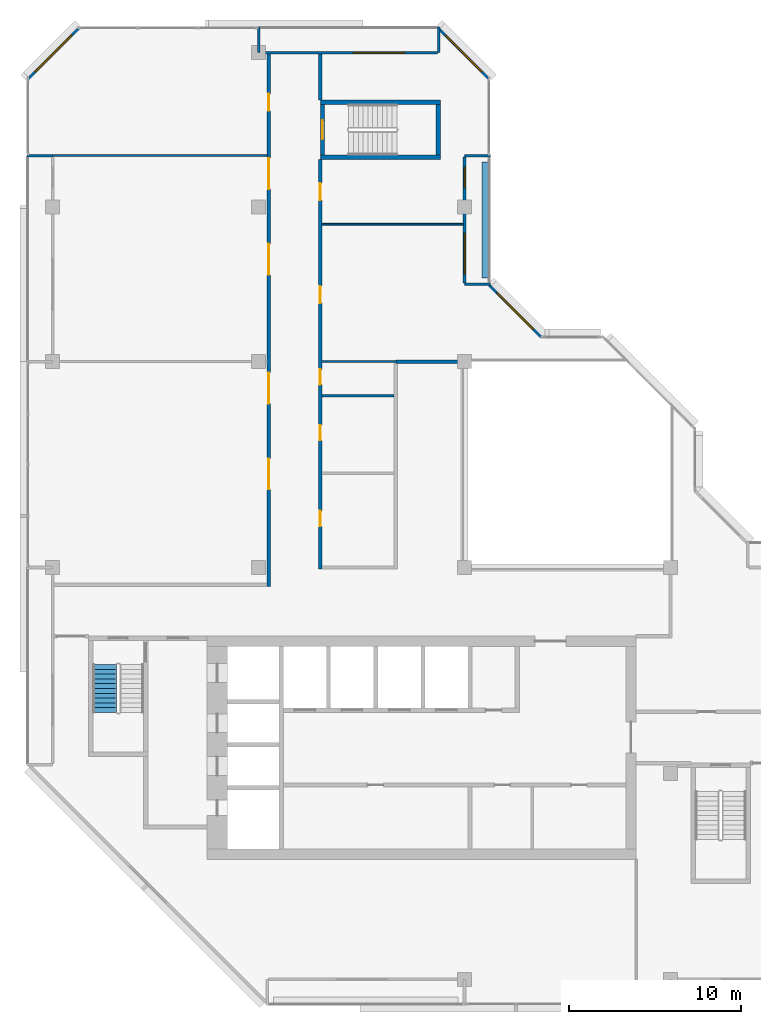
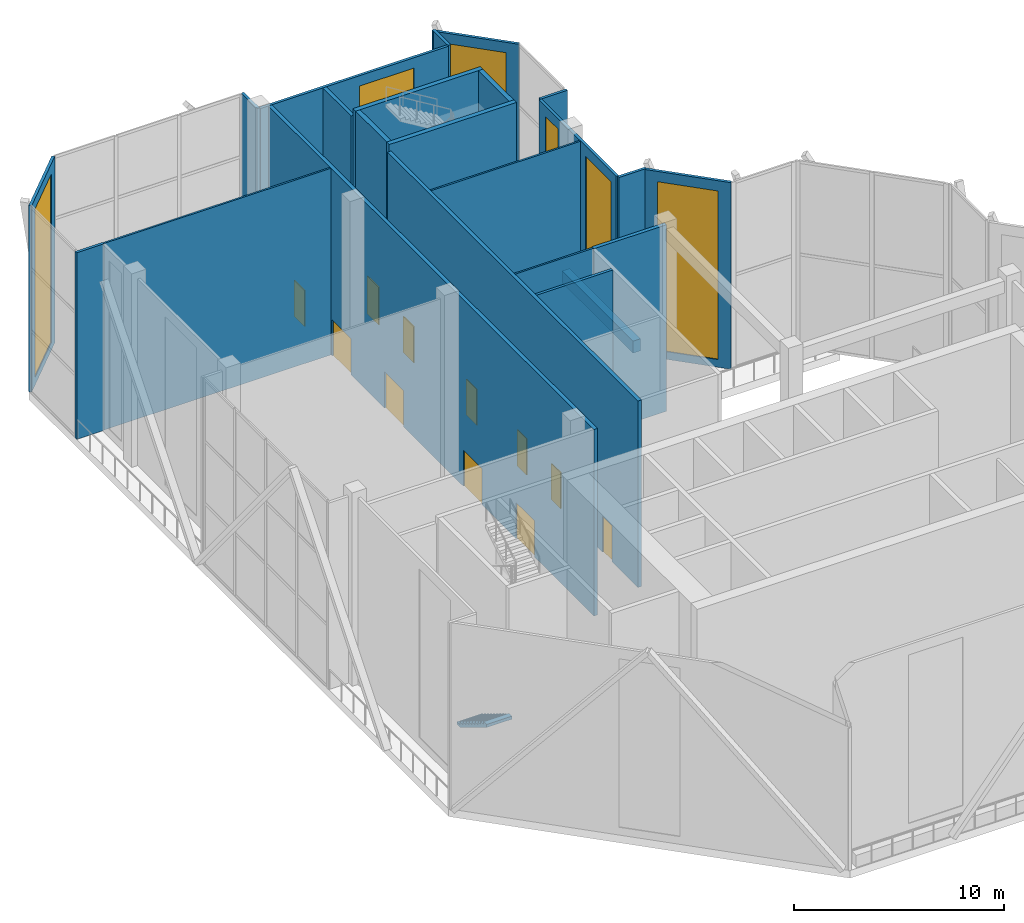
# One storey, part 11 of 16: 23 walls, 11 doors, 6 windows, 1 stair flight, 17 openings, 1 element without a shape of its own.
"""IFC4 building model written with IfcOpenShell, lengths in metres."""

from ifc_helpers import new_model, si_unit, direction, frame, frame_2d, origin, place, context, subcontext, project, spatial, polyline, rectangle, outline, extrude, material, layer, layer_set, type_object, element, fill, aggregate, save


model = new_model("IFC4")

# Units and contexts
model_context = context("Model", 3, precision=1e-05, world=origin(), true_north=direction((0.0, 1.0)))
body_context = subcontext(model_context, "Body", "Model", "MODEL_VIEW")
ifc_project = project(units=[si_unit("LENGTHUNIT", "METRE"), si_unit("AREAUNIT", "SQUARE_METRE"), si_unit("VOLUMEUNIT", "CUBIC_METRE"), si_unit("PLANEANGLEUNIT", "RADIAN"), si_unit("MASSUNIT", "GRAM", prefix="KILO")], contexts=[model_context])

# Site, building, storey
site_placement = place(None, origin())
site = spatial("IfcSite", under=ifc_project, at=site_placement, CompositionType="ELEMENT")
building_placement = place(site_placement, origin())
building = spatial("IfcBuilding", under=site, at=building_placement, Name="Chenar Terraces", CompositionType="ELEMENT")
storey_placement = place(building_placement, frame((0.0, 0.0, 327.64990234375)))
storey = spatial("IfcBuildingStorey", under=building, at=storey_placement, Name="L77", CompositionType="ELEMENT", Elevation=327.64990234375)

# Walls
ifc_material_1 = material(Name="Concrete C50/60", Category="concrete")
ifc_layer_1 = layer(ifc_material_1, 0.25)
ifc_layer_set_1 = layer_set([ifc_layer_1], Name="Concrete C50/60")
wall_type_1 = type_object("IfcWallType", Name="Core wall 250 Concrete C50/60", PredefinedType="SHEAR", material=ifc_layer_set_1)
for number, where, z_axis, x_axis, name in (
    (1, (15.60009765625, 47.89990234375, 0.0), (0.0, 0.0, 1.0), (1.0, 0.0, 0.0), "Core wall ST4_S L77"),
    (2, (15.60009765625, 51.10009765625, 0.0), (0.0, 0.0, 1.0), (1.0, 0.0, 0.0), "Core wall ST4_N L77"),
):
    element("IfcWall", number, at=place(storey_placement, frame(where, z_axis=z_axis, x_axis=x_axis)), inside=storey, type_object=wall_type_1, Name=name, PredefinedType="SHEAR", context=body_context, shape_type="SweptSolid", body=[
        extrude(rectangle(XDim=7.0, YDim=0.25, at=frame_2d((3.5, 0.0))), origin(), (0.0, 0.0, 1.0), 11.25),
    ])

# Wall, opening, door
wall_1_placement = place(storey_placement, frame((15.72509765625, 48.02490234375, 0.0), z_axis=(0.0, 0.0, 1.0), x_axis=(0.0, 1.0, 0.0)))
wall_1 = element("IfcWall", 3, at=wall_1_placement, inside=storey, type_object=wall_type_1, Name="Core wall ST4_W L77", PredefinedType="SHEAR", context=body_context, shape_type="SweptSolid", body=[
    extrude(rectangle(XDim=2.9501953125, YDim=0.25, at=frame_2d((1.47509765625, 0.0))), origin(), (0.0, 0.0, 1.0), 11.25),
])
opening_1_placement = place(wall_1_placement, frame((0.925048828125, 0.0, 0.0)))
opening_1 = element("IfcOpeningElement", 4, at=opening_1_placement, cuts=wall_1, Name="Opening DL77-C9", PredefinedType="OPENING", context=body_context, shape_type="SweptSolid", body=[
    extrude(rectangle(XDim=1.10009765625, YDim=2.199951171875, at=frame_2d((0.550048828125, 1.10009765625))), frame((0.0, 0.135009765625, 0.0), z_axis=(0.0, -1.0, 0.0), x_axis=(1.0, 0.0, 0.0)), (0.0, 0.0, 1.0), 0.27001953125),
])
ifc_material_2 = material(Name="Steel-framed fire-resisting door leaf", Category="steel")
door_type_1 = type_object("IfcDoorType", Name="Stair fire door FD60 1100 x 2200", OperationType="SINGLE_SWING_LEFT", PredefinedType="DOOR", material=ifc_material_2)
door_1_placement = place(opening_1_placement, frame((1.10009765625, 0.0, 0.0), z_axis=(0.0, 0.0, 1.0), x_axis=(-1.0, 0.0, 0.0)))
door_1 = element("IfcDoor", 5, at=door_1_placement, inside=storey, type_object=door_type_1, Name="Stair door DL77-C9", OperationType="SINGLE_SWING_RIGHT", OverallHeight=2.199951171875, OverallWidth=1.10009765625, PredefinedType="DOOR", context=body_context, shape_type="SweptSolid", body=[
    extrude(rectangle(XDim=1.10009765625, YDim=2.199951171875, at=frame_2d((0.550048828125, 1.10009765625))), frame((0.0, 0.02490234375, 0.0), z_axis=(0.0, -1.0, 0.0), x_axis=(1.0, 0.0, 0.0)), (0.0, 0.0, 1.0), 0.050048828125),
])
fill(opening_1, door_1)

# Wall
wall_2_placement = place(storey_placement, frame((22.47509765625, 48.02490234375, 0.0), z_axis=(0.0, 0.0, 1.0), x_axis=(0.0, 1.0, 0.0)))
element("IfcWall", 6, at=wall_2_placement, inside=storey, type_object=wall_type_1, Name="Core wall ST4_E L77", PredefinedType="SHEAR", context=body_context, shape_type="SweptSolid", body=[
    extrude(rectangle(XDim=2.9501953125, YDim=0.25, at=frame_2d((1.47509765625, 0.0))), origin(), (0.0, 0.0, 1.0), 11.25),
])

# Wall, openings, doors
ifc_material_3 = material(Name="Gypsum board on steel studs with fire boards", Category="steel")
ifc_layer_2 = layer(ifc_material_3, 0.199951171875)
ifc_layer_set_2 = layer_set([ifc_layer_2], Name="Gypsum board on steel studs with fire boards")
wall_type_2 = type_object("IfcWallType", Name="Corridor wall 200", PredefinedType="PARTITIONING", material=ifc_layer_set_2)
wall_3_placement = place(storey_placement, frame((12.60009765625, 22.89990234375, 0.0), z_axis=(0.0, 0.0, 1.0), x_axis=(0.0, 1.0, 0.0)))
wall_3 = element("IfcWall", 7, at=wall_3_placement, inside=storey, type_object=wall_type_2, Name="Partition L77-005", PredefinedType="PARTITIONING", context=body_context, shape_type="SweptSolid", body=[
    extrude(rectangle(XDim=31.026123046875, YDim=0.199951171875, at=frame_2d((15.51318359375, 0.0))), origin(), (0.0, 0.0, 1.0), 10.85009765625),
])
opening_2_placement = place(wall_3_placement, frame((5.64990234375, 0.0, 0.0)))
opening_2 = element("IfcOpeningElement", 8, at=opening_2_placement, cuts=wall_3, Name="Opening DL77-9", PredefinedType="OPENING", context=body_context, shape_type="SweptSolid", body=[
    extrude(rectangle(XDim=1.800048828125, YDim=2.10009765625, at=frame_2d((0.89990234375, 1.050048828125))), frame((0.0, 0.10986328125, 0.0), z_axis=(0.0, -1.0, 0.0), x_axis=(1.0, 0.0, 0.0)), (0.0, 0.0, 1.0), 0.219970703125),
])
opening_3_placement = place(wall_3_placement, frame((10.64990234375, 0.0, 0.0)))
opening_3 = element("IfcOpeningElement", 9, at=opening_3_placement, cuts=wall_3, Name="Opening DL77-10", PredefinedType="OPENING", context=body_context, shape_type="SweptSolid", body=[
    extrude(rectangle(XDim=1.800048828125, YDim=2.10009765625, at=frame_2d((0.89990234375, 1.050048828125))), frame((0.0, 0.10986328125, 0.0), z_axis=(0.0, -1.0, 0.0), x_axis=(1.0, 0.0, 0.0)), (0.0, 0.0, 1.0), 0.219970703125),
])
opening_4_placement = place(wall_3_placement, frame((18.14990234375, 0.0, 0.0)))
opening_4 = element("IfcOpeningElement", 10, at=opening_4_placement, cuts=wall_3, Name="Opening DL77-11", PredefinedType="OPENING", context=body_context, shape_type="SweptSolid", body=[
    extrude(rectangle(XDim=1.800048828125, YDim=2.10009765625, at=frame_2d((0.89990234375, 1.050048828125))), frame((0.0, 0.10986328125, 0.0), z_axis=(0.0, -1.0, 0.0), x_axis=(1.0, 0.0, 0.0)), (0.0, 0.0, 1.0), 0.219970703125),
])
opening_5_placement = place(wall_3_placement, frame((23.14990234375, 0.0, 0.0)))
opening_5 = element("IfcOpeningElement", 11, at=opening_5_placement, cuts=wall_3, Name="Opening DL77-12", PredefinedType="OPENING", context=body_context, shape_type="SweptSolid", body=[
    extrude(rectangle(XDim=1.800048828125, YDim=2.10009765625, at=frame_2d((0.89990234375, 1.050048828125))), frame((0.0, 0.10986328125, 0.0), z_axis=(0.0, -1.0, 0.0), x_axis=(1.0, 0.0, 0.0)), (0.0, 0.0, 1.0), 0.219970703125),
])
opening_6_placement = place(wall_3_placement, frame((27.699951171875, 0.0, 0.0)))
opening_6 = element("IfcOpeningElement", 12, at=opening_6_placement, cuts=wall_3, Name="Opening DL77-13", PredefinedType="OPENING", context=body_context, shape_type="SweptSolid", body=[
    extrude(rectangle(XDim=1.0, YDim=2.10009765625, at=frame_2d((0.5, 1.050048828125))), frame((0.0, 0.10986328125, 0.0), z_axis=(0.0, -1.0, 0.0), x_axis=(1.0, 0.0, 0.0)), (0.0, 0.0, 1.0), 0.219970703125),
])
ifc_material_4 = material(Name="Steel-framed fire-resisting door leaf", Category="steel")
door_type_2 = type_object("IfcDoorType", Name="Fire door FD60 1000 x 2100", OperationType="SINGLE_SWING_LEFT", PredefinedType="DOOR", material=ifc_material_4)
door_2_placement = place(opening_6_placement, origin())
door_2 = element("IfcDoor", 13, at=door_2_placement, inside=storey, type_object=door_type_2, Name="Door DL77-13", OperationType="SINGLE_SWING_LEFT", OverallHeight=2.10009765625, OverallWidth=1.0, PredefinedType="DOOR", context=body_context, shape_type="SweptSolid", body=[
    extrude(rectangle(XDim=1.0, YDim=2.10009765625, at=frame_2d((0.5, 1.050048828125))), frame((0.0, 0.02490234375, 0.0), z_axis=(0.0, -1.0, 0.0), x_axis=(1.0, 0.0, 0.0)), (0.0, 0.0, 1.0), 0.050048828125),
])
fill(opening_6, door_2)
ifc_material_5 = material(Name="Steel-framed fire-resisting door leaf", Category="steel")
door_type_3 = type_object("IfcDoorType", Name="Fire double door FD60 1800 x 2100", OperationType="DOUBLE_DOOR_SINGLE_SWING", PredefinedType="DOOR", material=ifc_material_5)
door_3_placement = place(opening_2_placement, origin())
door_3 = element("IfcDoor", 14, at=door_3_placement, inside=storey, type_object=door_type_3, Name="Door DL77-9", OperationType="DOUBLE_DOOR_SINGLE_SWING", OverallHeight=2.10009765625, OverallWidth=1.800048828125, PredefinedType="DOOR", context=body_context, shape_type="SweptSolid", body=[
    extrude(rectangle(XDim=1.800048828125, YDim=2.10009765625, at=frame_2d((0.89990234375, 1.050048828125))), frame((0.0, 0.02490234375, 0.0), z_axis=(0.0, -1.0, 0.0), x_axis=(1.0, 0.0, 0.0)), (0.0, 0.0, 1.0), 0.050048828125),
])
fill(opening_2, door_3)
door_4_placement = place(opening_3_placement, origin())
door_4 = element("IfcDoor", 15, at=door_4_placement, inside=storey, type_object=door_type_3, Name="Door DL77-10", OperationType="DOUBLE_DOOR_SINGLE_SWING", OverallHeight=2.10009765625, OverallWidth=1.800048828125, PredefinedType="DOOR", context=body_context, shape_type="SweptSolid", body=[
    extrude(rectangle(XDim=1.800048828125, YDim=2.10009765625, at=frame_2d((0.89990234375, 1.050048828125))), frame((0.0, 0.02490234375, 0.0), z_axis=(0.0, -1.0, 0.0), x_axis=(1.0, 0.0, 0.0)), (0.0, 0.0, 1.0), 0.050048828125),
])
fill(opening_3, door_4)
door_5_placement = place(opening_4_placement, origin())
door_5 = element("IfcDoor", 16, at=door_5_placement, inside=storey, type_object=door_type_3, Name="Door DL77-11", OperationType="DOUBLE_DOOR_SINGLE_SWING", OverallHeight=2.10009765625, OverallWidth=1.800048828125, PredefinedType="DOOR", context=body_context, shape_type="SweptSolid", body=[
    extrude(rectangle(XDim=1.800048828125, YDim=2.10009765625, at=frame_2d((0.89990234375, 1.050048828125))), frame((0.0, 0.02490234375, 0.0), z_axis=(0.0, -1.0, 0.0), x_axis=(1.0, 0.0, 0.0)), (0.0, 0.0, 1.0), 0.050048828125),
])
fill(opening_4, door_5)
door_6_placement = place(opening_5_placement, origin())
door_6 = element("IfcDoor", 17, at=door_6_placement, inside=storey, type_object=door_type_3, Name="Door DL77-12", OperationType="DOUBLE_DOOR_SINGLE_SWING", OverallHeight=2.10009765625, OverallWidth=1.800048828125, PredefinedType="DOOR", context=body_context, shape_type="SweptSolid", body=[
    extrude(rectangle(XDim=1.800048828125, YDim=2.10009765625, at=frame_2d((0.89990234375, 1.050048828125))), frame((0.0, 0.02490234375, 0.0), z_axis=(0.0, -1.0, 0.0), x_axis=(1.0, 0.0, 0.0)), (0.0, 0.0, 1.0), 0.050048828125),
])
fill(opening_5, door_6)

wall_4_placement = place(storey_placement, frame((15.60009765625, 23.89990234375, 0.0), z_axis=(0.0, 0.0, 1.0), x_axis=(0.0, 1.0, 0.0)))
wall_4 = element("IfcWall", 18, at=wall_4_placement, inside=storey, type_object=wall_type_2, Name="Partition L77-006", PredefinedType="PARTITIONING", context=body_context, shape_type="SweptSolid", body=[
    extrude(rectangle(XDim=23.875, YDim=0.199951171875, at=frame_2d((11.9375, 0.0))), origin(), (0.0, 0.0, 1.0), 10.85009765625),
])
opening_7_placement = place(wall_4_placement, frame((15.5, 0.0, 0.0)))
opening_7 = element("IfcOpeningElement", 19, at=opening_7_placement, cuts=wall_4, Name="Opening DL77-7", PredefinedType="OPENING", context=body_context, shape_type="SweptSolid", body=[
    extrude(rectangle(XDim=1.0, YDim=2.10009765625, at=frame_2d((0.5, 1.050048828125))), frame((0.0, 0.10986328125, 0.0), z_axis=(0.0, -1.0, 0.0), x_axis=(1.0, 0.0, 0.0)), (0.0, 0.0, 1.0), 0.219970703125),
])
opening_8_placement = place(wall_4_placement, frame((21.5, 0.0, 0.0)))
opening_8 = element("IfcOpeningElement", 20, at=opening_8_placement, cuts=wall_4, Name="Opening DL77-8", PredefinedType="OPENING", context=body_context, shape_type="SweptSolid", body=[
    extrude(rectangle(XDim=1.0, YDim=2.10009765625, at=frame_2d((0.5, 1.050048828125))), frame((0.0, 0.10986328125, 0.0), z_axis=(0.0, -1.0, 0.0), x_axis=(1.0, 0.0, 0.0)), (0.0, 0.0, 1.0), 0.219970703125),
])
opening_9_placement = place(wall_4_placement, frame((10.75, 0.0, 0.0)))
opening_9 = element("IfcOpeningElement", 21, at=opening_9_placement, cuts=wall_4, Name="Opening DL77-15", PredefinedType="OPENING", context=body_context, shape_type="SweptSolid", body=[
    extrude(rectangle(XDim=0.89990234375, YDim=2.10009765625, at=frame_2d((0.449951171875, 1.050048828125))), frame((0.0, 0.10986328125, 0.0), z_axis=(0.0, -1.0, 0.0), x_axis=(1.0, 0.0, 0.0)), (0.0, 0.0, 1.0), 0.219970703125),
])
opening_10_placement = place(wall_4_placement, frame((7.5, 0.0, 0.0)))
opening_10 = element("IfcOpeningElement", 22, at=opening_10_placement, cuts=wall_4, Name="Opening DL77-16", PredefinedType="OPENING", context=body_context, shape_type="SweptSolid", body=[
    extrude(rectangle(XDim=0.89990234375, YDim=2.10009765625, at=frame_2d((0.449951171875, 1.050048828125))), frame((0.0, 0.10986328125, 0.0), z_axis=(0.0, -1.0, 0.0), x_axis=(1.0, 0.0, 0.0)), (0.0, 0.0, 1.0), 0.219970703125),
])
opening_11_placement = place(wall_4_placement, frame((2.5, 0.0, 0.0)))
opening_11 = element("IfcOpeningElement", 23, at=opening_11_placement, cuts=wall_4, Name="Opening DL77-17", PredefinedType="OPENING", context=body_context, shape_type="SweptSolid", body=[
    extrude(rectangle(XDim=0.89990234375, YDim=2.10009765625, at=frame_2d((0.449951171875, 1.050048828125))), frame((0.0, 0.10986328125, 0.0), z_axis=(0.0, -1.0, 0.0), x_axis=(1.0, 0.0, 0.0)), (0.0, 0.0, 1.0), 0.219970703125),
])
door_7_placement = place(opening_7_placement, frame((1.0, 0.0, 0.0), z_axis=(0.0, 0.0, 1.0), x_axis=(-1.0, 0.0, 0.0)))
door_7 = element("IfcDoor", 24, at=door_7_placement, inside=storey, type_object=door_type_2, Name="Door DL77-7", OperationType="SINGLE_SWING_RIGHT", OverallHeight=2.10009765625, OverallWidth=1.0, PredefinedType="DOOR", context=body_context, shape_type="SweptSolid", body=[
    extrude(rectangle(XDim=1.0, YDim=2.10009765625, at=frame_2d((0.5, 1.050048828125))), frame((0.0, 0.02490234375, 0.0), z_axis=(0.0, -1.0, 0.0), x_axis=(1.0, 0.0, 0.0)), (0.0, 0.0, 1.0), 0.050048828125),
])
fill(opening_7, door_7)
door_8_placement = place(opening_8_placement, frame((1.0, 0.0, 0.0), z_axis=(0.0, 0.0, 1.0), x_axis=(-1.0, 0.0, 0.0)))
door_8 = element("IfcDoor", 25, at=door_8_placement, inside=storey, type_object=door_type_2, Name="Door DL77-8", OperationType="SINGLE_SWING_RIGHT", OverallHeight=2.10009765625, OverallWidth=1.0, PredefinedType="DOOR", context=body_context, shape_type="SweptSolid", body=[
    extrude(rectangle(XDim=1.0, YDim=2.10009765625, at=frame_2d((0.5, 1.050048828125))), frame((0.0, 0.02490234375, 0.0), z_axis=(0.0, -1.0, 0.0), x_axis=(1.0, 0.0, 0.0)), (0.0, 0.0, 1.0), 0.050048828125),
])
fill(opening_8, door_8)
ifc_material_6 = material(Name="Steel-framed fire-resisting door leaf", Category="steel")
door_type_4 = type_object("IfcDoorType", Name="Fire door FD60 900 x 2100", OperationType="SINGLE_SWING_LEFT", PredefinedType="DOOR", material=ifc_material_6)
door_9_placement = place(opening_9_placement, frame((0.89990234375, 0.0, 0.0), z_axis=(0.0, 0.0, 1.0), x_axis=(-1.0, 0.0, 0.0)))
door_9 = element("IfcDoor", 26, at=door_9_placement, inside=storey, type_object=door_type_4, Name="Door DL77-15", OperationType="SINGLE_SWING_LEFT", OverallHeight=2.10009765625, OverallWidth=0.89990234375, PredefinedType="DOOR", context=body_context, shape_type="SweptSolid", body=[
    extrude(rectangle(XDim=0.89990234375, YDim=2.10009765625, at=frame_2d((0.449951171875, 1.050048828125))), frame((0.0, 0.02490234375, 0.0), z_axis=(0.0, -1.0, 0.0), x_axis=(1.0, 0.0, 0.0)), (0.0, 0.0, 1.0), 0.050048828125),
])
fill(opening_9, door_9)
door_10_placement = place(opening_10_placement, frame((0.89990234375, 0.0, 0.0), z_axis=(0.0, 0.0, 1.0), x_axis=(-1.0, 0.0, 0.0)))
door_10 = element("IfcDoor", 27, at=door_10_placement, inside=storey, type_object=door_type_4, Name="Door DL77-16", OperationType="SINGLE_SWING_RIGHT", OverallHeight=2.10009765625, OverallWidth=0.89990234375, PredefinedType="DOOR", context=body_context, shape_type="SweptSolid", body=[
    extrude(rectangle(XDim=0.89990234375, YDim=2.10009765625, at=frame_2d((0.449951171875, 1.050048828125))), frame((0.0, 0.02490234375, 0.0), z_axis=(0.0, -1.0, 0.0), x_axis=(1.0, 0.0, 0.0)), (0.0, 0.0, 1.0), 0.050048828125),
])
fill(opening_10, door_10)
door_11_placement = place(opening_11_placement, frame((0.89990234375, 0.0, 0.0), z_axis=(0.0, 0.0, 1.0), x_axis=(-1.0, 0.0, 0.0)))
door_11 = element("IfcDoor", 28, at=door_11_placement, inside=storey, type_object=door_type_4, Name="Door DL77-17", OperationType="SINGLE_SWING_RIGHT", OverallHeight=2.10009765625, OverallWidth=0.89990234375, PredefinedType="DOOR", context=body_context, shape_type="SweptSolid", body=[
    extrude(rectangle(XDim=0.89990234375, YDim=2.10009765625, at=frame_2d((0.449951171875, 1.050048828125))), frame((0.0, 0.02490234375, 0.0), z_axis=(0.0, -1.0, 0.0), x_axis=(1.0, 0.0, 0.0)), (0.0, 0.0, 1.0), 0.050048828125),
])
fill(opening_11, door_11)

# Walls
wall_5_placement = place(storey_placement, frame((15.60009765625, 51.22509765625, 0.0), z_axis=(0.0, 0.0, 1.0), x_axis=(0.0, 1.0, 0.0)))
element("IfcWall", 29, at=wall_5_placement, inside=storey, type_object=wall_type_2, Name="Partition L77-007", PredefinedType="PARTITIONING", context=body_context, shape_type="SweptSolid", body=[
    extrude(rectangle(XDim=2.700927734375, YDim=0.199951171875, at=frame_2d((1.3505859375, 0.0))), origin(), (0.0, 0.0, 1.0), 10.85009765625),
])
wall_6_placement = place(storey_placement, frame((20.0, 36.0, 0.0), z_axis=(0.0, 0.0, 1.0), x_axis=(1.0, 0.0, 0.0)))
element("IfcWall", 30, at=wall_6_placement, inside=storey, type_object=wall_type_2, Name="Partition L77-014", PredefinedType="PARTITIONING", context=body_context, shape_type="SweptSolid", body=[
    extrude(rectangle(XDim=4.0, YDim=0.199951171875, at=frame_2d((2.0, 0.0))), origin(), (0.0, 0.0, 1.0), 10.85009765625),
])

# Wall, openings, windows
ifc_material_7 = material(Name="Aluminium framed glazing", Category="aluminium")
ifc_layer_3 = layer(ifc_material_7, 0.14990234375)
ifc_layer_set_3 = layer_set([ifc_layer_3], Name="Aluminium framed glazing")
wall_type_3 = type_object("IfcWallType", Name="Glazed loggia back wall 150", PredefinedType="SOLIDWALL", material=ifc_layer_set_3)
wall_7_placement = place(storey_placement, frame((24.0, 40.574951171875, 0.0), z_axis=(0.0, 0.0, 1.0), x_axis=(0.0, 1.0, 0.0)))
wall_7 = element("IfcWall", 31, at=wall_7_placement, inside=storey, type_object=wall_type_3, Name="Glazed loggia back wall", PredefinedType="SOLIDWALL", context=body_context, shape_type="SweptSolid", body=[
    extrude(rectangle(XDim=7.35009765625, YDim=0.14990234375, at=frame_2d((3.675048828125, 0.0))), origin(), (0.0, 0.0, 1.0), 10.85009765625),
])
opening_12_placement = place(wall_7_placement, frame((0.512451171875, 0.0, 0.449951171875)))
opening_12 = element("IfcOpeningElement", 32, at=opening_12_placement, cuts=wall_7, Name="Opening W240x980", PredefinedType="OPENING", context=body_context, shape_type="SweptSolid", body=[
    extrude(rectangle(XDim=2.39990234375, YDim=9.800048828125, at=frame_2d((1.199951171875, 4.89990234375))), frame((0.0, 0.0849609375, 0.0), z_axis=(0.0, -1.0, 0.0), x_axis=(1.0, 0.0, 0.0)), (0.0, 0.0, 1.0), 0.169921875),
])
opening_13_placement = place(wall_7_placement, frame((5.53759765625, 0.0, 0.449951171875)))
opening_13 = element("IfcOpeningElement", 33, at=opening_13_placement, cuts=wall_7, Name="Opening W120x980", PredefinedType="OPENING", context=body_context, shape_type="SweptSolid", body=[
    extrude(rectangle(XDim=1.199951171875, YDim=9.800048828125, at=frame_2d((0.60009765625, 4.89990234375))), frame((0.0, 0.0849609375, 0.0), z_axis=(0.0, -1.0, 0.0), x_axis=(1.0, 0.0, 0.0)), (0.0, 0.0, 1.0), 0.169921875),
])
ifc_material_8 = material(Name="Low emissivity double glazing, aluminium frame", Category="aluminium")
window_type_1 = type_object("IfcWindowType", Name="Fixed light 1200 x 9800", PartitioningType="SINGLE_PANEL", PredefinedType="WINDOW", material=ifc_material_8)
window_1_placement = place(opening_13_placement, origin())
window_1 = element("IfcWindow", 34, at=window_1_placement, inside=storey, type_object=window_type_1, Name="Window", OverallHeight=9.800048828125, OverallWidth=1.199951171875, PartitioningType="SINGLE_PANEL", PredefinedType="WINDOW", context=body_context, shape_type="SweptSolid", body=[
    extrude(rectangle(XDim=1.199951171875, YDim=9.800048828125, at=frame_2d((0.60009765625, 4.89990234375))), frame((0.0, 0.030029296875, 0.0), z_axis=(0.0, -1.0, 0.0), x_axis=(1.0, 0.0, 0.0)), (0.0, 0.0, 1.0), 0.06005859375),
])
fill(opening_13, window_1)
ifc_material_9 = material(Name="Low emissivity double glazing, aluminium frame", Category="aluminium")
window_type_2 = type_object("IfcWindowType", Name="Fixed light 2400 x 9800", PartitioningType="SINGLE_PANEL", PredefinedType="WINDOW", material=ifc_material_9)
window_2_placement = place(opening_12_placement, origin())
window_2 = element("IfcWindow", 35, at=window_2_placement, inside=storey, type_object=window_type_2, Name="Window", OverallHeight=9.800048828125, OverallWidth=2.39990234375, PartitioningType="SINGLE_PANEL", PredefinedType="WINDOW", context=body_context, shape_type="SweptSolid", body=[
    extrude(rectangle(XDim=2.39990234375, YDim=9.800048828125, at=frame_2d((1.199951171875, 4.89990234375))), frame((0.0, 0.030029296875, 0.0), z_axis=(0.0, -1.0, 0.0), x_axis=(1.0, 0.0, 0.0)), (0.0, 0.0, 1.0), 0.06005859375),
])
fill(opening_12, window_2)

# Wall, opening, window
wall_8_placement = place(storey_placement, frame((22.425048828125, 54.0, 0.0), z_axis=(0.0, 0.0, 1.0), x_axis=(-1.0, 0.0, 0.0)))
wall_8 = element("IfcWall", 36, at=wall_8_placement, inside=storey, type_object=wall_type_3, Name="Glazed loggia back wall", PredefinedType="SOLIDWALL", context=body_context, shape_type="SweptSolid", body=[
    extrude(rectangle(XDim=10.35009765625, YDim=0.14990234375, at=frame_2d((5.175048828125, 0.0))), origin(), (0.0, 0.0, 1.0), 10.85009765625),
])
opening_14_placement = place(wall_8_placement, frame((1.91259765625, 0.0, 0.449951171875)))
opening_14 = element("IfcOpeningElement", 37, at=opening_14_placement, cuts=wall_8, Name="Opening W300x980", PredefinedType="OPENING", context=body_context, shape_type="SweptSolid", body=[
    extrude(rectangle(XDim=3.0, YDim=9.800048828125, at=frame_2d((1.5, 4.89990234375))), frame((0.0, 0.0849609375, 0.0), z_axis=(0.0, -1.0, 0.0), x_axis=(1.0, 0.0, 0.0)), (0.0, 0.0, 1.0), 0.169921875),
])
ifc_material_10 = material(Name="Low emissivity double glazing, aluminium frame", Category="aluminium")
window_type_3 = type_object("IfcWindowType", Name="Fixed light 3000 x 9800", PartitioningType="SINGLE_PANEL", PredefinedType="WINDOW", material=ifc_material_10)
window_3_placement = place(opening_14_placement, origin())
window_3 = element("IfcWindow", 38, at=window_3_placement, inside=storey, type_object=window_type_3, Name="Window", OverallHeight=9.800048828125, OverallWidth=3.0, PartitioningType="SINGLE_PANEL", PredefinedType="WINDOW", context=body_context, shape_type="SweptSolid", body=[
    extrude(rectangle(XDim=3.0, YDim=9.800048828125, at=frame_2d((1.5, 4.89990234375))), frame((0.0, 0.030029296875, 0.0), z_axis=(0.0, -1.0, 0.0), x_axis=(1.0, 0.0, 0.0)), (0.0, 0.0, 1.0), 0.06005859375),
])
fill(opening_14, window_3)

# Walls
ifc_material_11 = material(Name="Gypsum board on steel studs", Category="steel")
ifc_layer_4 = layer(ifc_material_11, 0.10009765625)
ifc_layer_set_4 = layer_set([ifc_layer_4], Name="Gypsum board on steel studs")
wall_type_4 = type_object("IfcWallType", Name="Gypsum partition 100", PredefinedType="PARTITIONING", material=ifc_layer_set_4)
wall_9_placement = place(storey_placement, frame((0.0, 48.0, 0.0), z_axis=(0.0, 0.0, 1.0), x_axis=(1.0, 0.0, 0.0)))
element("IfcWall", 39, at=wall_9_placement, inside=storey, type_object=wall_type_4, Name="Partition L77-002", PredefinedType="PARTITIONING", context=body_context, shape_type="SweptSolid", body=[
    extrude(rectangle(XDim=12.5, YDim=0.10009765625, at=frame_2d((6.25, 0.0))), origin(), (0.0, 0.0, 1.0), 10.85009765625),
])
wall_10_placement = place(storey_placement, frame((15.699951171875, 36.0, 0.0), z_axis=(0.0, 0.0, 1.0), x_axis=(1.0, 0.0, 0.0)))
element("IfcWall", 40, at=wall_10_placement, inside=storey, type_object=wall_type_4, Name="Partition L77-011", PredefinedType="PARTITIONING", context=body_context, shape_type="SweptSolid", body=[
    extrude(rectangle(XDim=4.300048828125, YDim=0.10009765625, at=frame_2d((2.14990234375, 0.0))), origin(), (0.0, 0.0, 1.0), 10.85009765625),
])
wall_11_placement = place(storey_placement, frame((15.699951171875, 44.0, 0.0), z_axis=(0.0, 0.0, 1.0), x_axis=(1.0, 0.0, 0.0)))
element("IfcWall", 41, at=wall_11_placement, inside=storey, type_object=wall_type_4, Name="Partition L77-012", PredefinedType="PARTITIONING", context=body_context, shape_type="SweptSolid", body=[
    extrude(rectangle(XDim=8.22607421875, YDim=0.10009765625, at=frame_2d((4.113037109375, 0.0))), origin(), (0.0, 0.0, 1.0), 10.85009765625),
])
ifc_material_12 = material(Name="Terracotta cladding on insulated backing", Category="masonry")
ifc_layer_5 = layer(ifc_material_12, 0.14990234375)
ifc_layer_set_5 = layer_set([ifc_layer_5], Name="Terracotta cladding on insulated backing")
wall_type_5 = type_object("IfcWallType", Name="Loggia return wall 150", PredefinedType="SOLIDWALL", material=ifc_layer_set_5)
for number, where, z_axis, x_axis, name in (
    (42, (25.5, 40.5, 0.0), (0.0, 0.0, 1.0), (-1.0, 0.0, 0.0), "Loggia return wall"),
    (43, (25.5, 48.0, 0.0), (0.0, 0.0, 1.0), (-1.0, 0.0, 0.0), "Loggia return wall"),
    (44, (22.5, 55.5, 0.0), (0.0, 0.0, 1.0), (0.0, -1.0, 0.0), "Loggia return wall"),
    (45, (12.0, 55.5, 0.0), (0.0, 0.0, 1.0), (0.0, -1.0, 0.0), "Loggia return wall"),
    (46, (-1.5, 48.0, 0.0), (0.0, 0.0, 1.0), (1.0, 0.0, 0.0), "Loggia return wall"),
):
    element("IfcWall", number, at=place(storey_placement, frame(where, z_axis=z_axis, x_axis=x_axis)), inside=storey, type_object=wall_type_5, Name=name, PredefinedType="SOLIDWALL", context=body_context, shape_type="SweptSolid", body=[
        extrude(rectangle(XDim=1.5, YDim=0.14990234375, at=frame_2d((0.75, 0.0))), origin(), (0.0, 0.0, 1.0), 10.85009765625),
    ])

# Wall, opening, window
ifc_material_13 = material(Name="Terracotta cladding on insulated backing", Category="masonry")
ifc_layer_6 = layer(ifc_material_13, 0.14990234375)
ifc_layer_set_6 = layer_set([ifc_layer_6], Name="Terracotta cladding on insulated backing")
wall_type_6 = type_object("IfcWallType", Name="Terracotta rainscreen wall 150", PredefinedType="SOLIDWALL", material=ifc_layer_set_6)
wall_12_placement = place(storey_placement, frame((28.447021484375, 37.447021484375, 0.0), z_axis=(0.0, 0.0, 1.0), x_axis=(-0.707106781187, 0.707106781187, 0.0)))
wall_12 = element("IfcWall", 47, at=wall_12_placement, inside=storey, type_object=wall_type_6, Name="Terracotta rainscreen wall", PredefinedType="SOLIDWALL", context=body_context, shape_type="SweptSolid", body=[
    extrude(rectangle(XDim=4.24267578125, YDim=0.14990234375, at=frame_2d((2.121337890625, 0.0))), origin(), (0.0, 0.0, 1.0), 10.85009765625),
])
opening_15_placement = place(wall_12_placement, frame((0.621337890625, 0.0, 0.449951171875)))
opening_15 = element("IfcOpeningElement", 48, at=opening_15_placement, cuts=wall_12, Name="Opening W300x980", PredefinedType="OPENING", context=body_context, shape_type="SweptSolid", body=[
    extrude(rectangle(XDim=3.0, YDim=9.800048828125, at=frame_2d((1.5, 4.89990234375))), frame((0.0, 0.0849609375, 0.0), z_axis=(0.0, -1.0, 0.0), x_axis=(1.0, 0.0, 0.0)), (0.0, 0.0, 1.0), 0.169921875),
])
window_4_placement = place(opening_15_placement, origin())
window_4 = element("IfcWindow", 49, at=window_4_placement, inside=storey, type_object=window_type_3, Name="Window", OverallHeight=9.800048828125, OverallWidth=3.0, PartitioningType="SINGLE_PANEL", PredefinedType="WINDOW", context=body_context, shape_type="SweptSolid", body=[
    extrude(rectangle(XDim=3.0, YDim=9.800048828125, at=frame_2d((1.5, 4.89990234375))), frame((0.0, 0.030029296875, 0.0), z_axis=(0.0, -1.0, 0.0), x_axis=(1.0, 0.0, 0.0)), (0.0, 0.0, 1.0), 0.06005859375),
])
fill(opening_15, window_4)

wall_13_placement = place(storey_placement, frame((25.447021484375, 52.447021484375, 0.0), z_axis=(0.0, 0.0, 1.0), x_axis=(-0.707106781187, 0.707106781187, 0.0)))
wall_13 = element("IfcWall", 50, at=wall_13_placement, inside=storey, type_object=wall_type_6, Name="Terracotta rainscreen wall", PredefinedType="SOLIDWALL", context=body_context, shape_type="SweptSolid", body=[
    extrude(rectangle(XDim=4.24267578125, YDim=0.14990234375, at=frame_2d((2.121337890625, 0.0))), origin(), (0.0, 0.0, 1.0), 10.85009765625),
])
opening_16_placement = place(wall_13_placement, frame((0.621337890625, 0.0, 0.449951171875)))
opening_16 = element("IfcOpeningElement", 51, at=opening_16_placement, cuts=wall_13, Name="Opening W300x980", PredefinedType="OPENING", context=body_context, shape_type="SweptSolid", body=[
    extrude(rectangle(XDim=3.0, YDim=9.800048828125, at=frame_2d((1.5, 4.89990234375))), frame((0.0, 0.0849609375, 0.0), z_axis=(0.0, -1.0, 0.0), x_axis=(1.0, 0.0, 0.0)), (0.0, 0.0, 1.0), 0.169921875),
])
window_5_placement = place(opening_16_placement, origin())
window_5 = element("IfcWindow", 52, at=window_5_placement, inside=storey, type_object=window_type_3, Name="Window", OverallHeight=9.800048828125, OverallWidth=3.0, PartitioningType="SINGLE_PANEL", PredefinedType="WINDOW", context=body_context, shape_type="SweptSolid", body=[
    extrude(rectangle(XDim=3.0, YDim=9.800048828125, at=frame_2d((1.5, 4.89990234375))), frame((0.0, 0.030029296875, 0.0), z_axis=(0.0, -1.0, 0.0), x_axis=(1.0, 0.0, 0.0)), (0.0, 0.0, 1.0), 0.06005859375),
])
fill(opening_16, window_5)

wall_14_placement = place(storey_placement, frame((1.552978515625, 55.447021484375, 0.0), z_axis=(0.0, 0.0, 1.0), x_axis=(-0.707106781187, -0.707106781187, 0.0)))
wall_14 = element("IfcWall", 53, at=wall_14_placement, inside=storey, type_object=wall_type_6, Name="Terracotta rainscreen wall", PredefinedType="SOLIDWALL", context=body_context, shape_type="SweptSolid", body=[
    extrude(rectangle(XDim=4.24267578125, YDim=0.14990234375, at=frame_2d((2.121337890625, 0.0))), origin(), (0.0, 0.0, 1.0), 10.85009765625),
])
opening_17_placement = place(wall_14_placement, frame((0.621337890625, 0.0, 0.449951171875)))
opening_17 = element("IfcOpeningElement", 54, at=opening_17_placement, cuts=wall_14, Name="Opening W300x980", PredefinedType="OPENING", context=body_context, shape_type="SweptSolid", body=[
    extrude(rectangle(XDim=3.0, YDim=9.800048828125, at=frame_2d((1.5, 4.89990234375))), frame((0.0, 0.0849609375, 0.0), z_axis=(0.0, -1.0, 0.0), x_axis=(1.0, 0.0, 0.0)), (0.0, 0.0, 1.0), 0.169921875),
])
window_6_placement = place(opening_17_placement, origin())
window_6 = element("IfcWindow", 55, at=window_6_placement, inside=storey, type_object=window_type_3, Name="Window", OverallHeight=9.800048828125, OverallWidth=3.0, PartitioningType="SINGLE_PANEL", PredefinedType="WINDOW", context=body_context, shape_type="SweptSolid", body=[
    extrude(rectangle(XDim=3.0, YDim=9.800048828125, at=frame_2d((1.5, 4.89990234375))), frame((0.0, 0.030029296875, 0.0), z_axis=(0.0, -1.0, 0.0), x_axis=(1.0, 0.0, 0.0)), (0.0, 0.0, 1.0), 0.06005859375),
])
fill(opening_17, window_6)

# Walls
ifc_material_14 = material(Name="GRP planter trough")
ifc_layer_7 = layer(ifc_material_14, 0.39990234375)
ifc_layer_set_7 = layer_set([ifc_layer_7], Name="GRP planter trough")
wall_type_7 = type_object("IfcWallType", Name="Vertical greenery planter 400", PredefinedType="SOLIDWALL", material=ifc_layer_set_7)
wall_15_placement = place(storey_placement, frame((25.22900390625, 40.875, 0.0), z_axis=(0.0, 0.0, 1.0), x_axis=(0.0, 1.0, 0.0)))
element("IfcWall", 56, at=wall_15_placement, inside=storey, type_object=wall_type_7, Name="Vertical greenery planter", PredefinedType="SOLIDWALL", context=body_context, shape_type="SweptSolid", body=[
    extrude(rectangle(XDim=6.75, YDim=0.39990234375, at=frame_2d((3.375, 0.0))), origin(), (0.0, 0.0, 1.0), 0.7001953125),
])
ifc_material_15 = material(Name="Moisture-resistant gypsum board on steel studs", Category="steel")
ifc_layer_8 = layer(ifc_material_15, 0.14990234375)
ifc_layer_set_8 = layer_set([ifc_layer_8], Name="Moisture-resistant gypsum board on steel studs")
wall_type_8 = type_object("IfcWallType", Name="Wet-room partition 150", PredefinedType="PARTITIONING", material=ifc_layer_set_8)
wall_16_placement = place(storey_placement, frame((15.699951171875, 34.0, 0.0), z_axis=(0.0, 0.0, 1.0), x_axis=(1.0, 0.0, 0.0)))
element("IfcWall", 57, at=wall_16_placement, inside=storey, type_object=wall_type_8, Name="Partition L77-010", PredefinedType="PARTITIONING", context=body_context, shape_type="SweptSolid", body=[
    extrude(rectangle(XDim=4.199951171875, YDim=0.14990234375, at=frame_2d((2.10009765625, 0.0))), origin(), (0.0, 0.0, 1.0), 10.85009765625),
])

# Stair, stair flight
ifc_material_16 = material(Name="Reinforced concrete C40/50", Category="concrete")
stair_type = type_object("IfcStairType", Name="Core stair 1400 half-turn", PredefinedType="HALF_TURN_STAIR", material=ifc_material_16)
stair_placement = place(storey_placement, origin())
stair = element("IfcStair", 58, at=stair_placement, inside=storey, type_object=stair_type, Name="L77 Stair 1", PredefinedType="HALF_TURN_STAIR")
ifc_material_17 = material(Name="Reinforced concrete C40/50", Category="concrete")
stair_flight_type = type_object("IfcStairFlightType", Name="Core stair flight 1400", PredefinedType="STRAIGHT", material=ifc_material_17)
stair_flight_placement = place(storey_placement, frame((3.050048828125, 18.35009765625, 0.0), z_axis=(0.0, 0.0, 1.0), x_axis=(0.0, -1.0, 0.0)))
stair_flight = element("IfcStairFlight", 59, at=stair_flight_placement, type_object=stair_flight_type, Name="ST1 flight 1", NumberOfRisers=11, NumberOfTreads=10, PredefinedType="STRAIGHT", RiserHeight=0.170454545, TreadLength=0.28, context=body_context, shape_type="SweptSolid", body=[
    extrude(outline(polyline([(-0.0029296875, 0.0), (-0.0029296875, 0.17041015625), (0.0, 0.17041015625), (0.280029296875, 0.17041015625), (0.280029296875, 0.3408203125), (0.56005859375, 0.3408203125), (0.56005859375, 0.511474609375), (0.840087890625, 0.511474609375), (0.840087890625, 0.681884765625), (1.1201171875, 0.681884765625), (1.1201171875, 0.852294921875), (1.39990234375, 0.852294921875), (1.39990234375, 1.022705078125), (1.679931640625, 1.022705078125), (1.679931640625, 1.193115234375), (1.9599609375, 1.193115234375), (1.9599609375, 1.363525390625), (2.239990234375, 1.363525390625), (2.239990234375, 1.5341796875), (2.52001953125, 1.5341796875), (2.52001953125, 1.70458984375), (2.800048828125, 1.70458984375), (2.802978515625, 1.70458984375), (2.802978515625, 1.529052734375), (2.800048828125, 1.529052734375), (0.288330078125, 0.0), (-0.0029296875, 0.0)])), frame((0.0, 0.699951171875, 0.0), z_axis=(0.0, -1.0, 0.0), x_axis=(1.0, 0.0, 0.0)), (0.0, 0.0, 1.0), 1.39990234375),
])
aggregate(stair, [stair_flight])

save(model, "model.ifc")
